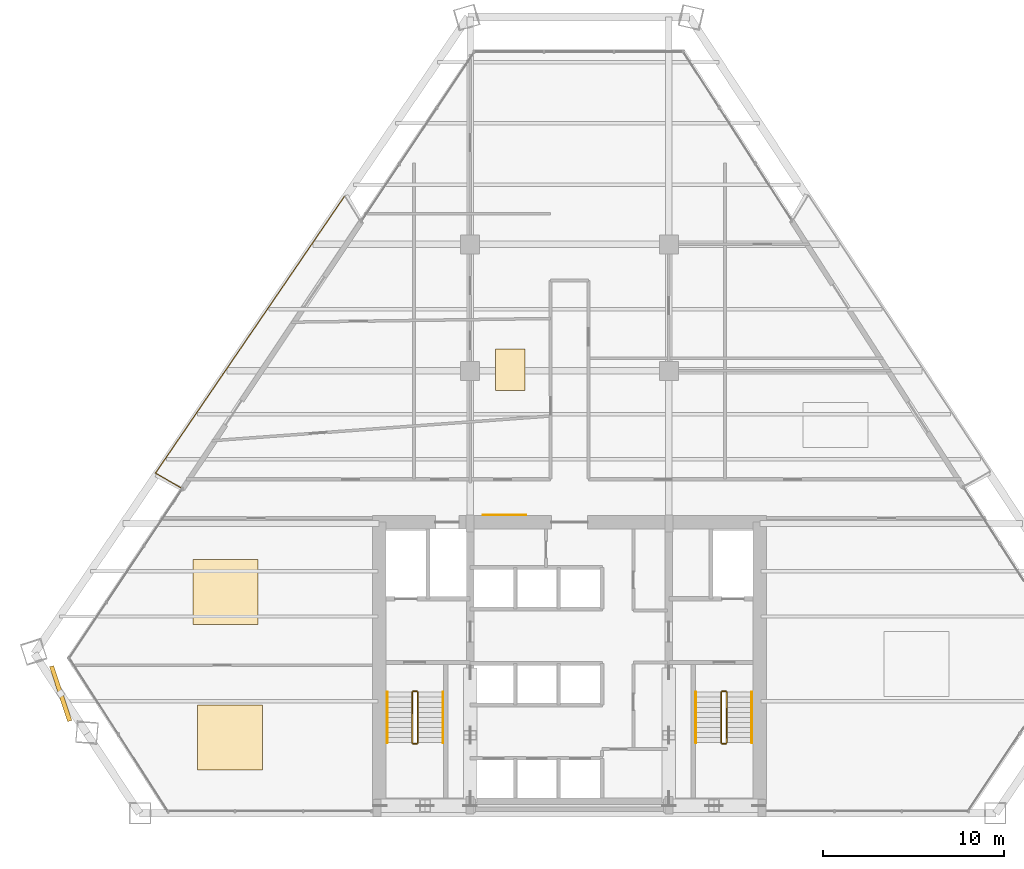
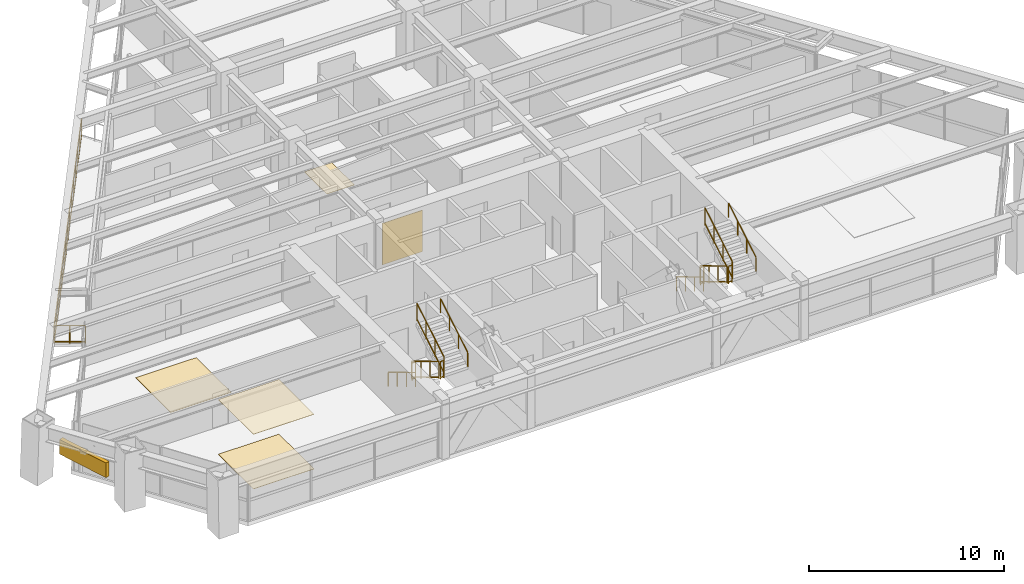
# One storey, part 13 of 14: 14 railings, 5 coverings, 1 shading device.
"""IFC4 building model written with IfcOpenShell, lengths in metres."""

from ifc_helpers import new_model, si_unit, direction, frame, origin, origin_2d, place, context, subcontext, project, spatial, rectangle, extrude, source, transform, mapped, material, layer, layer_set, type_object, type_shapes, element, save


model = new_model("IFC4")

# Units and contexts
model_context = context("Model", 3, precision=1e-05, world=origin(), true_north=direction((0.0, 1.0)))
body_context = subcontext(model_context, "Body", "Model", "MODEL_VIEW")
ifc_project = project(units=[si_unit("LENGTHUNIT", "METRE"), si_unit("AREAUNIT", "SQUARE_METRE"), si_unit("VOLUMEUNIT", "CUBIC_METRE"), si_unit("PLANEANGLEUNIT", "RADIAN"), si_unit("MASSUNIT", "GRAM", prefix="KILO")], contexts=[model_context])

# Site, building, storey
site_placement = place(None, origin())
site = spatial("IfcSite", under=ifc_project, at=site_placement, CompositionType="ELEMENT")
building_placement = place(site_placement, origin())
building = spatial("IfcBuilding", under=site, at=building_placement, Name="Varnakhor Terracotta Tower", CompositionType="ELEMENT")
storey_placement = place(building_placement, frame((0.0, 0.0, 106.199951171875)))
storey = spatial("IfcBuildingStorey", under=building, at=storey_placement, Name="L26", CompositionType="ELEMENT", Elevation=106.199951171875)

# Railings
ifc_material_1 = material(Name="Stainless Steel & Laminated Glass Guardrail", Category="steel")
railing_type_1 = type_object("IfcRailingType", Name="RLG-LOGGIA-GUARD-1150", PredefinedType="GUARDRAIL", material=ifc_material_1)
railing_1_placement = place(storey_placement, frame((-21.53466796875, 18.0361328125, 0.0)))
element("IfcRailing", 1, at=railing_1_placement, inside=storey, type_object=railing_type_1, Name="L26 W Loggia Glass Guard 1", PredefinedType="GUARDRAIL", context=body_context, shape_type="SweptSolid", body=[
    extrude(rectangle(XDim=0.048095703125, YDim=0.048095703125, at=origin_2d()), frame((0.0, 0.0, 1.1259765625), z_axis=(-0.865162026603, 0.501492440346, 0.0), x_axis=(-0.501492440346, -0.865162026603, 0.0)), (0.0, 0.0, 1.0), 1.60302734375),
    extrude(rectangle(XDim=0.048095703125, YDim=0.048095703125, at=origin_2d()), frame((0.0, 0.0, 0.10009765625), z_axis=(-0.865162026603, 0.501492440346, 0.0), x_axis=(-0.501492440346, -0.865162026603, 0.0)), (0.0, 0.0, 1.0), 1.60302734375),
    extrude(rectangle(XDim=0.0419921875, YDim=0.0419921875, at=origin_2d()), origin(), (0.0, 0.0, 1.0), 1.101806640625),
    extrude(rectangle(XDim=0.0419921875, YDim=0.0419921875, at=origin_2d()), frame((-0.693359375, 0.40185546875, 0.0)), (0.0, 0.0, 1.0), 1.101806640625),
    extrude(rectangle(XDim=0.0419921875, YDim=0.0419921875, at=origin_2d()), frame((-1.386962890625, 0.803955078125, 0.0)), (0.0, 0.0, 1.0), 1.101806640625),
])
railing_2_placement = place(storey_placement, frame((-22.921630859375, 18.840087890625, 0.0)))
element("IfcRailing", 2, at=railing_2_placement, inside=storey, type_object=railing_type_1, Name="L26 W Loggia Glass Guard 2", PredefinedType="GUARDRAIL", context=body_context, shape_type="SweptSolid", body=[
    extrude(rectangle(XDim=0.048095703125, YDim=0.048095703125, at=origin_2d()), frame((0.0, 0.0, 1.1259765625), z_axis=(0.563817402579, 0.825899471213, 0.0), x_axis=(-0.825899471213, 0.563817402579, 0.0)), (0.0, 0.0, 1.0), 18.58154296875),
    extrude(rectangle(XDim=0.048095703125, YDim=0.048095703125, at=origin_2d()), frame((0.0, 0.0, 0.10009765625), z_axis=(0.563817402579, 0.825899471213, 0.0), x_axis=(-0.825899471213, 0.563817402579, 0.0)), (0.0, 0.0, 1.0), 18.58154296875),
    extrude(rectangle(XDim=0.0419921875, YDim=0.0419921875, at=origin_2d()), origin(), (0.0, 0.0, 1.0), 1.101806640625),
    extrude(rectangle(XDim=0.0419921875, YDim=0.0419921875, at=origin_2d()), frame((0.748291015625, 1.09619140625, 0.0)), (0.0, 0.0, 1.0), 1.101806640625),
    extrude(rectangle(XDim=0.0419921875, YDim=0.0419921875, at=origin_2d()), frame((1.49658203125, 2.1923828125, 0.0)), (0.0, 0.0, 1.0), 1.101806640625),
    extrude(rectangle(XDim=0.0419921875, YDim=0.0419921875, at=origin_2d()), frame((2.244873046875, 3.28857421875, 0.0)), (0.0, 0.0, 1.0), 1.101806640625),
    extrude(rectangle(XDim=0.0419921875, YDim=0.0419921875, at=origin_2d()), frame((2.993408203125, 4.384765625, 0.0)), (0.0, 0.0, 1.0), 1.101806640625),
    extrude(rectangle(XDim=0.0419921875, YDim=0.0419921875, at=origin_2d()), frame((3.74169921875, 5.48095703125, 0.0)), (0.0, 0.0, 1.0), 1.101806640625),
    extrude(rectangle(XDim=0.0419921875, YDim=0.0419921875, at=origin_2d()), frame((4.489990234375, 6.5771484375, 0.0)), (0.0, 0.0, 1.0), 1.101806640625),
    extrude(rectangle(XDim=0.0419921875, YDim=0.0419921875, at=origin_2d()), frame((5.23828125, 7.67333984375, 0.0)), (0.0, 0.0, 1.0), 1.101806640625),
    extrude(rectangle(XDim=0.0419921875, YDim=0.0419921875, at=origin_2d()), frame((5.986572265625, 8.769287109375, 0.0)), (0.0, 0.0, 1.0), 1.101806640625),
    extrude(rectangle(XDim=0.0419921875, YDim=0.0419921875, at=origin_2d()), frame((6.73486328125, 9.865478515625, 0.0)), (0.0, 0.0, 1.0), 1.101806640625),
    extrude(rectangle(XDim=0.0419921875, YDim=0.0419921875, at=origin_2d()), frame((7.483154296875, 10.961669921875, 0.0)), (0.0, 0.0, 1.0), 1.101806640625),
    extrude(rectangle(XDim=0.0419921875, YDim=0.0419921875, at=origin_2d()), frame((8.231689453125, 12.057861328125, 0.0)), (0.0, 0.0, 1.0), 1.101806640625),
    extrude(rectangle(XDim=0.0419921875, YDim=0.0419921875, at=origin_2d()), frame((8.97998046875, 13.154052734375, 0.0)), (0.0, 0.0, 1.0), 1.101806640625),
    extrude(rectangle(XDim=0.0419921875, YDim=0.0419921875, at=origin_2d()), frame((9.728271484375, 14.250244140625, 0.0)), (0.0, 0.0, 1.0), 1.101806640625),
    extrude(rectangle(XDim=0.0419921875, YDim=0.0419921875, at=origin_2d()), frame((10.4765625, 15.346435546875, 0.0)), (0.0, 0.0, 1.0), 1.101806640625),
])
ifc_material_2 = material(Name="Painted Steel Stairwell Guardrail", Category="steel")
railing_type_2 = type_object("IfcRailingType", Name="RLG-STAIR-GUARD-1120", PredefinedType="GUARDRAIL", material=ifc_material_2)
railing_3_placement = place(storey_placement, frame((-8.699951171875, 6.7099609375, 0.168212890625)))
element("IfcRailing", 3, at=railing_3_placement, inside=storey, type_object=railing_type_2, Name="L26 ST-1 stair guard 1", PredefinedType="GUARDRAIL", context=body_context, shape_type="SweptSolid", body=[
    extrude(rectangle(XDim=0.048095703125, YDim=0.048095703125, at=origin_2d()), frame((0.0, 0.0, 1.09619140625), z_axis=(0.0, -0.857242210791, 0.514913383045), x_axis=(1.0, 0.0, 0.0)), (0.0, 0.0, 1.0), 3.266357421875),
    extrude(rectangle(XDim=0.048095703125, YDim=0.048095703125, at=origin_2d()), frame((0.0, 0.0, 0.10009765625), z_axis=(0.0, -0.857242210791, 0.514913383045), x_axis=(1.0, 0.0, 0.0)), (0.0, 0.0, 1.0), 3.266357421875),
    extrude(rectangle(XDim=0.0419921875, YDim=0.0419921875, at=origin_2d()), origin(), (0.0, 0.0, 1.0), 1.072021484375),
    extrude(rectangle(XDim=0.0419921875, YDim=0.0419921875, at=origin_2d()), frame((0.0, -0.933349609375, 0.560546875)), (0.0, 0.0, 1.0), 1.072021484375),
    extrude(rectangle(XDim=0.0419921875, YDim=0.0419921875, at=origin_2d()), frame((0.0, -1.86669921875, 1.121337890625)), (0.0, 0.0, 1.0), 1.072021484375),
    extrude(rectangle(XDim=0.0419921875, YDim=0.0419921875, at=origin_2d()), frame((0.0, -2.800048828125, 1.681884765625)), (0.0, 0.0, 1.0), 1.072021484375),
])
railing_4_placement = place(storey_placement, frame((-8.64990234375, 3.860107421875, 1.85009765625)))
element("IfcRailing", 4, at=railing_4_placement, inside=storey, type_object=railing_type_2, Name="L26 ST-1 stair guard 2", PredefinedType="GUARDRAIL", context=body_context, shape_type="SweptSolid", body=[
    extrude(rectangle(XDim=0.048095703125, YDim=0.048095703125, at=origin_2d()), frame((0.0, 0.0, 1.09619140625), z_axis=(1.0, 0.0, 0.0), x_axis=(0.0, 1.0, 0.0)), (0.0, 0.0, 1.0), 0.199951171875),
    extrude(rectangle(XDim=0.048095703125, YDim=0.048095703125, at=origin_2d()), frame((0.0, 0.0, 0.10009765625), z_axis=(1.0, 0.0, 0.0), x_axis=(0.0, 1.0, 0.0)), (0.0, 0.0, 1.0), 0.199951171875),
    extrude(rectangle(XDim=0.0419921875, YDim=0.0419921875, at=origin_2d()), origin(), (0.0, 0.0, 1.0), 1.072021484375),
    extrude(rectangle(XDim=0.0419921875, YDim=0.0419921875, at=origin_2d()), frame((0.199951171875, 0.0, 0.0)), (0.0, 0.0, 1.0), 1.072021484375),
])
railing_5_placement = place(storey_placement, frame((-8.39990234375, 3.909912109375, 2.018310546875)))
element("IfcRailing", 5, at=railing_5_placement, inside=storey, type_object=railing_type_2, Name="L26 ST-1 stair guard 3", PredefinedType="GUARDRAIL", context=body_context, shape_type="SweptSolid", body=[
    extrude(rectangle(XDim=0.048095703125, YDim=0.048095703125, at=origin_2d()), frame((0.0, 0.0, 1.09619140625), z_axis=(0.0, 0.857275202839, 0.514858452973), x_axis=(-1.0, 0.0, 0.0)), (0.0, 0.0, 1.0), 3.26611328125),
    extrude(rectangle(XDim=0.048095703125, YDim=0.048095703125, at=origin_2d()), frame((0.0, 0.0, 0.10009765625), z_axis=(0.0, 0.857275202839, 0.514858452973), x_axis=(-1.0, 0.0, 0.0)), (0.0, 0.0, 1.0), 3.26611328125),
    extrude(rectangle(XDim=0.0419921875, YDim=0.0419921875, at=origin_2d()), origin(), (0.0, 0.0, 1.0), 1.072021484375),
    extrude(rectangle(XDim=0.0419921875, YDim=0.0419921875, at=origin_2d()), frame((0.0, 0.933349609375, 0.560546875)), (0.0, 0.0, 1.0), 1.072021484375),
    extrude(rectangle(XDim=0.0419921875, YDim=0.0419921875, at=origin_2d()), frame((0.0, 1.86669921875, 1.12109375)), (0.0, 0.0, 1.0), 1.072021484375),
    extrude(rectangle(XDim=0.0419921875, YDim=0.0419921875, at=origin_2d()), frame((0.0, 2.800048828125, 1.681640625)), (0.0, 0.0, 1.0), 1.072021484375),
])
railing_6_placement = place(storey_placement, frame((-8.64990234375, 6.760009765625, 0.0)))
element("IfcRailing", 6, at=railing_6_placement, inside=storey, type_object=railing_type_2, Name="L26 ST-1 stair guard 4", PredefinedType="GUARDRAIL", context=body_context, shape_type="SweptSolid", body=[
    extrude(rectangle(XDim=0.048095703125, YDim=0.048095703125, at=origin_2d()), frame((0.0, 0.0, 1.09619140625), z_axis=(1.0, 0.0, 0.0), x_axis=(0.0, 1.0, 0.0)), (0.0, 0.0, 1.0), 0.199951171875),
    extrude(rectangle(XDim=0.048095703125, YDim=0.048095703125, at=origin_2d()), frame((0.0, 0.0, 0.10009765625), z_axis=(1.0, 0.0, 0.0), x_axis=(0.0, 1.0, 0.0)), (0.0, 0.0, 1.0), 0.199951171875),
    extrude(rectangle(XDim=0.0419921875, YDim=0.0419921875, at=origin_2d()), origin(), (0.0, 0.0, 1.0), 1.072021484375),
    extrude(rectangle(XDim=0.0419921875, YDim=0.0419921875, at=origin_2d()), frame((0.199951171875, 0.0, 0.0)), (0.0, 0.0, 1.0), 1.072021484375),
])
railing_7_placement = place(storey_placement, frame((8.39990234375, 6.7099609375, 0.168212890625)))
element("IfcRailing", 7, at=railing_7_placement, inside=storey, type_object=railing_type_2, Name="L26 ST-2 stair guard 1", PredefinedType="GUARDRAIL", context=body_context, shape_type="SweptSolid", body=[
    extrude(rectangle(XDim=0.048095703125, YDim=0.048095703125, at=origin_2d()), frame((0.0, 0.0, 1.09619140625), z_axis=(0.0, -0.857242210791, 0.514913383045), x_axis=(1.0, 0.0, 0.0)), (0.0, 0.0, 1.0), 3.266357421875),
    extrude(rectangle(XDim=0.048095703125, YDim=0.048095703125, at=origin_2d()), frame((0.0, 0.0, 0.10009765625), z_axis=(0.0, -0.857242210791, 0.514913383045), x_axis=(1.0, 0.0, 0.0)), (0.0, 0.0, 1.0), 3.266357421875),
    extrude(rectangle(XDim=0.0419921875, YDim=0.0419921875, at=origin_2d()), origin(), (0.0, 0.0, 1.0), 1.072021484375),
    extrude(rectangle(XDim=0.0419921875, YDim=0.0419921875, at=origin_2d()), frame((0.0, -0.933349609375, 0.560546875)), (0.0, 0.0, 1.0), 1.072021484375),
    extrude(rectangle(XDim=0.0419921875, YDim=0.0419921875, at=origin_2d()), frame((0.0, -1.86669921875, 1.121337890625)), (0.0, 0.0, 1.0), 1.072021484375),
    extrude(rectangle(XDim=0.0419921875, YDim=0.0419921875, at=origin_2d()), frame((0.0, -2.800048828125, 1.681884765625)), (0.0, 0.0, 1.0), 1.072021484375),
])
railing_8_placement = place(storey_placement, frame((8.449951171875, 3.860107421875, 1.85009765625)))
element("IfcRailing", 8, at=railing_8_placement, inside=storey, type_object=railing_type_2, Name="L26 ST-2 stair guard 2", PredefinedType="GUARDRAIL", context=body_context, shape_type="SweptSolid", body=[
    extrude(rectangle(XDim=0.048095703125, YDim=0.048095703125, at=origin_2d()), frame((0.0, 0.0, 1.09619140625), z_axis=(1.0, 0.0, 0.0), x_axis=(0.0, 1.0, 0.0)), (0.0, 0.0, 1.0), 0.199951171875),
    extrude(rectangle(XDim=0.048095703125, YDim=0.048095703125, at=origin_2d()), frame((0.0, 0.0, 0.10009765625), z_axis=(1.0, 0.0, 0.0), x_axis=(0.0, 1.0, 0.0)), (0.0, 0.0, 1.0), 0.199951171875),
    extrude(rectangle(XDim=0.0419921875, YDim=0.0419921875, at=origin_2d()), origin(), (0.0, 0.0, 1.0), 1.072021484375),
    extrude(rectangle(XDim=0.0419921875, YDim=0.0419921875, at=origin_2d()), frame((0.199951171875, 0.0, 0.0)), (0.0, 0.0, 1.0), 1.072021484375),
])
railing_9_placement = place(storey_placement, frame((8.699951171875, 3.909912109375, 2.018310546875)))
element("IfcRailing", 9, at=railing_9_placement, inside=storey, type_object=railing_type_2, Name="L26 ST-2 stair guard 3", PredefinedType="GUARDRAIL", context=body_context, shape_type="SweptSolid", body=[
    extrude(rectangle(XDim=0.048095703125, YDim=0.048095703125, at=origin_2d()), frame((0.0, 0.0, 1.09619140625), z_axis=(0.0, 0.857275202839, 0.514858452973), x_axis=(-1.0, 0.0, 0.0)), (0.0, 0.0, 1.0), 3.26611328125),
    extrude(rectangle(XDim=0.048095703125, YDim=0.048095703125, at=origin_2d()), frame((0.0, 0.0, 0.10009765625), z_axis=(0.0, 0.857275202839, 0.514858452973), x_axis=(-1.0, 0.0, 0.0)), (0.0, 0.0, 1.0), 3.26611328125),
    extrude(rectangle(XDim=0.0419921875, YDim=0.0419921875, at=origin_2d()), origin(), (0.0, 0.0, 1.0), 1.072021484375),
    extrude(rectangle(XDim=0.0419921875, YDim=0.0419921875, at=origin_2d()), frame((0.0, 0.933349609375, 0.560546875)), (0.0, 0.0, 1.0), 1.072021484375),
    extrude(rectangle(XDim=0.0419921875, YDim=0.0419921875, at=origin_2d()), frame((0.0, 1.86669921875, 1.12109375)), (0.0, 0.0, 1.0), 1.072021484375),
    extrude(rectangle(XDim=0.0419921875, YDim=0.0419921875, at=origin_2d()), frame((0.0, 2.800048828125, 1.681640625)), (0.0, 0.0, 1.0), 1.072021484375),
])
railing_10_placement = place(storey_placement, frame((8.449951171875, 6.760009765625, 0.0)))
element("IfcRailing", 10, at=railing_10_placement, inside=storey, type_object=railing_type_2, Name="L26 ST-2 stair guard 4", PredefinedType="GUARDRAIL", context=body_context, shape_type="SweptSolid", body=[
    extrude(rectangle(XDim=0.048095703125, YDim=0.048095703125, at=origin_2d()), frame((0.0, 0.0, 1.09619140625), z_axis=(1.0, 0.0, 0.0), x_axis=(0.0, 1.0, 0.0)), (0.0, 0.0, 1.0), 0.199951171875),
    extrude(rectangle(XDim=0.048095703125, YDim=0.048095703125, at=origin_2d()), frame((0.0, 0.0, 0.10009765625), z_axis=(1.0, 0.0, 0.0), x_axis=(0.0, 1.0, 0.0)), (0.0, 0.0, 1.0), 0.199951171875),
    extrude(rectangle(XDim=0.0419921875, YDim=0.0419921875, at=origin_2d()), origin(), (0.0, 0.0, 1.0), 1.072021484375),
    extrude(rectangle(XDim=0.0419921875, YDim=0.0419921875, at=origin_2d()), frame((0.199951171875, 0.0, 0.0)), (0.0, 0.0, 1.0), 1.072021484375),
])
ifc_material_3 = material(Name="Brushed Stainless Steel Handrail", Category="steel")
railing_type_3 = type_object("IfcRailingType", Name="RLG-STAIR-HANDRAIL-920", PredefinedType="HANDRAIL", material=ifc_material_3)
railing_11_placement = place(storey_placement, frame((-10.10009765625, 6.7099609375, 0.168212890625)))
element("IfcRailing", 11, at=railing_11_placement, inside=storey, type_object=railing_type_3, Name="L26 ST-1 stair handrail 1", PredefinedType="HANDRAIL", context=body_context, shape_type="SweptSolid", body=[
    extrude(rectangle(XDim=0.048095703125, YDim=0.048095703125, at=origin_2d()), frame((0.0, 0.0, 0.89599609375), z_axis=(0.0, -0.857242210791, 0.514913383045), x_axis=(1.0, 0.0, 0.0)), (0.0, 0.0, 1.0), 3.266357421875),
    extrude(rectangle(XDim=0.0419921875, YDim=0.0419921875, at=origin_2d()), origin(), (0.0, 0.0, 1.0), 0.871826171875),
    extrude(rectangle(XDim=0.0419921875, YDim=0.0419921875, at=origin_2d()), frame((0.0, -0.933349609375, 0.560546875)), (0.0, 0.0, 1.0), 0.871826171875),
    extrude(rectangle(XDim=0.0419921875, YDim=0.0419921875, at=origin_2d()), frame((0.0, -1.86669921875, 1.121337890625)), (0.0, 0.0, 1.0), 0.871826171875),
    extrude(rectangle(XDim=0.0419921875, YDim=0.0419921875, at=origin_2d()), frame((0.0, -2.800048828125, 1.681884765625)), (0.0, 0.0, 1.0), 0.871826171875),
])
railing_12_placement = place(storey_placement, frame((-7.0, 3.909912109375, 2.018310546875)))
element("IfcRailing", 12, at=railing_12_placement, inside=storey, type_object=railing_type_3, Name="L26 ST-1 stair handrail 2", PredefinedType="HANDRAIL", context=body_context, shape_type="SweptSolid", body=[
    extrude(rectangle(XDim=0.048095703125, YDim=0.048095703125, at=origin_2d()), frame((0.0, 0.0, 0.89599609375), z_axis=(0.0, 0.857275202839, 0.514858452973), x_axis=(-1.0, 0.0, 0.0)), (0.0, 0.0, 1.0), 3.26611328125),
    extrude(rectangle(XDim=0.0419921875, YDim=0.0419921875, at=origin_2d()), origin(), (0.0, 0.0, 1.0), 0.871826171875),
    extrude(rectangle(XDim=0.0419921875, YDim=0.0419921875, at=origin_2d()), frame((0.0, 0.933349609375, 0.560546875)), (0.0, 0.0, 1.0), 0.871826171875),
    extrude(rectangle(XDim=0.0419921875, YDim=0.0419921875, at=origin_2d()), frame((0.0, 1.86669921875, 1.12109375)), (0.0, 0.0, 1.0), 0.871826171875),
    extrude(rectangle(XDim=0.0419921875, YDim=0.0419921875, at=origin_2d()), frame((0.0, 2.800048828125, 1.681640625)), (0.0, 0.0, 1.0), 0.871826171875),
])
railing_13_placement = place(storey_placement, frame((7.0, 6.7099609375, 0.168212890625)))
element("IfcRailing", 13, at=railing_13_placement, inside=storey, type_object=railing_type_3, Name="L26 ST-2 stair handrail 1", PredefinedType="HANDRAIL", context=body_context, shape_type="SweptSolid", body=[
    extrude(rectangle(XDim=0.048095703125, YDim=0.048095703125, at=origin_2d()), frame((0.0, 0.0, 0.89599609375), z_axis=(0.0, -0.857242210791, 0.514913383045), x_axis=(1.0, 0.0, 0.0)), (0.0, 0.0, 1.0), 3.266357421875),
    extrude(rectangle(XDim=0.0419921875, YDim=0.0419921875, at=origin_2d()), origin(), (0.0, 0.0, 1.0), 0.871826171875),
    extrude(rectangle(XDim=0.0419921875, YDim=0.0419921875, at=origin_2d()), frame((0.0, -0.933349609375, 0.560546875)), (0.0, 0.0, 1.0), 0.871826171875),
    extrude(rectangle(XDim=0.0419921875, YDim=0.0419921875, at=origin_2d()), frame((0.0, -1.86669921875, 1.121337890625)), (0.0, 0.0, 1.0), 0.871826171875),
    extrude(rectangle(XDim=0.0419921875, YDim=0.0419921875, at=origin_2d()), frame((0.0, -2.800048828125, 1.681884765625)), (0.0, 0.0, 1.0), 0.871826171875),
])
railing_14_placement = place(storey_placement, frame((10.10009765625, 3.909912109375, 2.018310546875)))
element("IfcRailing", 14, at=railing_14_placement, inside=storey, type_object=railing_type_3, Name="L26 ST-2 stair handrail 2", PredefinedType="HANDRAIL", context=body_context, shape_type="SweptSolid", body=[
    extrude(rectangle(XDim=0.048095703125, YDim=0.048095703125, at=origin_2d()), frame((0.0, 0.0, 0.89599609375), z_axis=(0.0, 0.857275202839, 0.514858452973), x_axis=(-1.0, 0.0, 0.0)), (0.0, 0.0, 1.0), 3.26611328125),
    extrude(rectangle(XDim=0.0419921875, YDim=0.0419921875, at=origin_2d()), origin(), (0.0, 0.0, 1.0), 0.871826171875),
    extrude(rectangle(XDim=0.0419921875, YDim=0.0419921875, at=origin_2d()), frame((0.0, 0.933349609375, 0.560546875)), (0.0, 0.0, 1.0), 0.871826171875),
    extrude(rectangle(XDim=0.0419921875, YDim=0.0419921875, at=origin_2d()), frame((0.0, 1.86669921875, 1.12109375)), (0.0, 0.0, 1.0), 0.871826171875),
    extrude(rectangle(XDim=0.0419921875, YDim=0.0419921875, at=origin_2d()), frame((0.0, 2.800048828125, 1.681640625)), (0.0, 0.0, 1.0), 0.871826171875),
])

# Shading device
ifc_material_4 = material(Name="Extruded Architectural Terracotta Screen", Category="masonry")
shading_device_type = type_object("IfcShadingDeviceType", Name="TERRACOTTA SOLAR SCREEN W", PredefinedType="USERDEFINED", material=ifc_material_4)
shared_shape_1 = source(origin(), body_context, "Body", "SweptSolid", [
    extrude(rectangle(XDim=3.199951171875, YDim=0.239990234375, at=origin_2d()), origin(), (0.0, 0.0, 1.0), 0.919921875),
])
type_shapes(shading_device_type, [shared_shape_1])
shading_device_placement = place(storey_placement, frame((-28.17529296875, 6.631103515625, 1.6181640625), z_axis=(0.0, 0.0, 1.0), x_axis=(0.314804300472, -0.949156600569, 0.0)))
element("IfcShadingDevice", 15, at=shading_device_placement, inside=storey, type_object=shading_device_type, Name="L26 W Terracotta Solar Screen", ObjectType="SCREEN", PredefinedType="USERDEFINED", context=body_context, shape_type="MappedRepresentation", body=[
    mapped(shared_shape_1, transform((0.0, 0.0, 0.0), scale=1.0)),
])

# Coverings
ifc_material_5 = material(Name="Extruded Architectural Terracotta Cladding", Category="masonry")
ifc_layer_1 = layer(ifc_material_5, 0.044921875, Name="Extruded Architectural Terracotta Cladding")
ifc_layer_set_1 = layer_set([ifc_layer_1], Name="Extruded Architectural Terracotta Cladding")
covering_type_1 = type_object("IfcCoveringType", Name="COV-CLAD-TERRACOTTA", PredefinedType="CLADDING", material=ifc_layer_set_1)
shared_shape_2 = source(origin(), body_context, "Body", "SweptSolid", [
    extrude(rectangle(XDim=2.39990234375, YDim=0.030029296875, at=origin_2d()), origin(), (0.0, 0.0, 1.0), 2.60009765625),
])
type_shapes(covering_type_1, [shared_shape_2])
covering_1_placement = place(storey_placement, frame((-3.60009765625, 16.511962890625, 0.0), z_axis=(0.0, 0.0, 1.0), x_axis=(1.0, 0.0, 0.0)))
element("IfcCovering", 16, at=covering_1_placement, inside=storey, type_object=covering_type_1, Name="L26 Core Lobby Limestone Cladding", PredefinedType="CLADDING", context=body_context, shape_type="MappedRepresentation", body=[
    mapped(shared_shape_2, transform((0.0, 0.0, 0.0), scale=1.0)),
])
ifc_material_6 = material(Name="Honed Riyadh Limestone Flooring", Category="masonry")
ifc_layer_2 = layer(ifc_material_6, 0.030029296875, Name="Honed Riyadh Limestone Flooring")
ifc_layer_set_2 = layer_set([ifc_layer_2], Name="Honed Riyadh Limestone Flooring")
covering_type_2 = type_object("IfcCoveringType", Name="COV-FLOOR-LIMESTONE", PredefinedType="FLOORING", material=ifc_layer_set_2)
shared_shape_3 = source(origin(), body_context, "Body", "SweptSolid", [
    extrude(rectangle(XDim=3.60009765625, YDim=3.60009765625, at=origin_2d()), origin(), (0.0, 0.0, 1.0), 0.02001953125),
])
covering_2_placement = place(storey_placement, frame((-19.0380859375, 12.263916015625, 0.0), z_axis=(0.0, 0.0, 1.0), x_axis=(1.0, 0.0, 0.0)))
element("IfcCovering", 17, at=covering_2_placement, inside=storey, type_object=covering_type_2, Name="L26 Honed Stone Flooring 3", PredefinedType="FLOORING", context=body_context, shape_type="MappedRepresentation", body=[
    mapped(shared_shape_3, transform((0.0, 0.0, 0.0), scale=1.0)),
])
shared_shape_4 = source(origin(), body_context, "Body", "SweptSolid", [
    extrude(rectangle(XDim=3.60009765625, YDim=3.59912109375, at=origin_2d()), origin(), (0.0, 0.0, 1.0), 0.02001953125),
])
covering_3_placement = place(storey_placement, frame((-18.7880859375, 4.201904296875, 0.0), z_axis=(0.0, 0.0, 1.0), x_axis=(1.0, 0.0, 0.0)))
element("IfcCovering", 18, at=covering_3_placement, inside=storey, type_object=covering_type_2, Name="L26 Honed Stone Flooring 1", PredefinedType="FLOORING", context=body_context, shape_type="MappedRepresentation", body=[
    mapped(shared_shape_4, transform((0.0, 0.0, 0.0), scale=1.0)),
])
ifc_material_7 = material(Name="Perforated Acoustic Mineral-Fibre Ceiling", Category="gypsum")
ifc_layer_3 = layer(ifc_material_7, 0.02490234375, Name="Perforated Acoustic Mineral-Fibre Ceiling")
ifc_layer_set_3 = layer_set([ifc_layer_3], Name="Perforated Acoustic Mineral-Fibre Ceiling")
covering_type_3 = type_object("IfcCoveringType", Name="COV-CEILING-ACOUSTIC", PredefinedType="CEILING", material=ifc_layer_set_3)
shared_shape_5 = source(origin(), body_context, "Body", "SweptSolid", [
    extrude(rectangle(XDim=3.60009765625, YDim=3.59912109375, at=origin_2d()), origin(), (0.0, 0.0, 1.0), 0.02392578125),
])
covering_4_placement = place(storey_placement, frame((-18.7880859375, 4.201904296875, 3.426025390625), z_axis=(0.0, 0.0, 1.0), x_axis=(1.0, 0.0, 0.0)))
element("IfcCovering", 19, at=covering_4_placement, inside=storey, type_object=covering_type_3, Name="L26 Acoustic Ceiling Panel 1", PredefinedType="CEILING", context=body_context, shape_type="MappedRepresentation", body=[
    mapped(shared_shape_5, transform((0.0, 0.0, 0.0), scale=1.0)),
])
shared_shape_6 = source(origin(), body_context, "Body", "SweptSolid", [
    extrude(rectangle(XDim=1.636962890625, YDim=2.31396484375, at=origin_2d()), origin(), (0.0, 0.0, 1.0), 0.02001953125),
])
covering_5_placement = place(storey_placement, frame((-3.285888671875, 24.56005859375, 0.0), z_axis=(0.0, 0.0, 1.0), x_axis=(1.0, 0.0, 0.0)))
element("IfcCovering", 20, at=covering_5_placement, inside=storey, type_object=covering_type_2, Name="L26 Honed Stone Flooring 5", PredefinedType="FLOORING", context=body_context, shape_type="MappedRepresentation", body=[
    mapped(shared_shape_6, transform((0.0, 0.0, 0.0), scale=1.0)),
])

save(model, "model.ifc")
